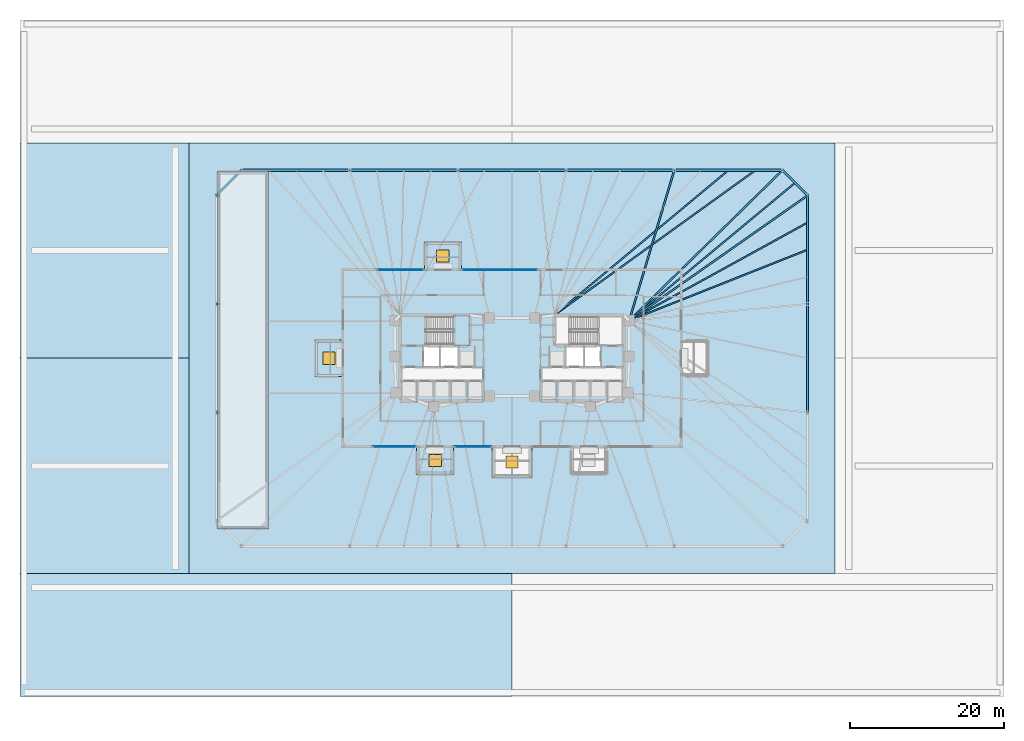
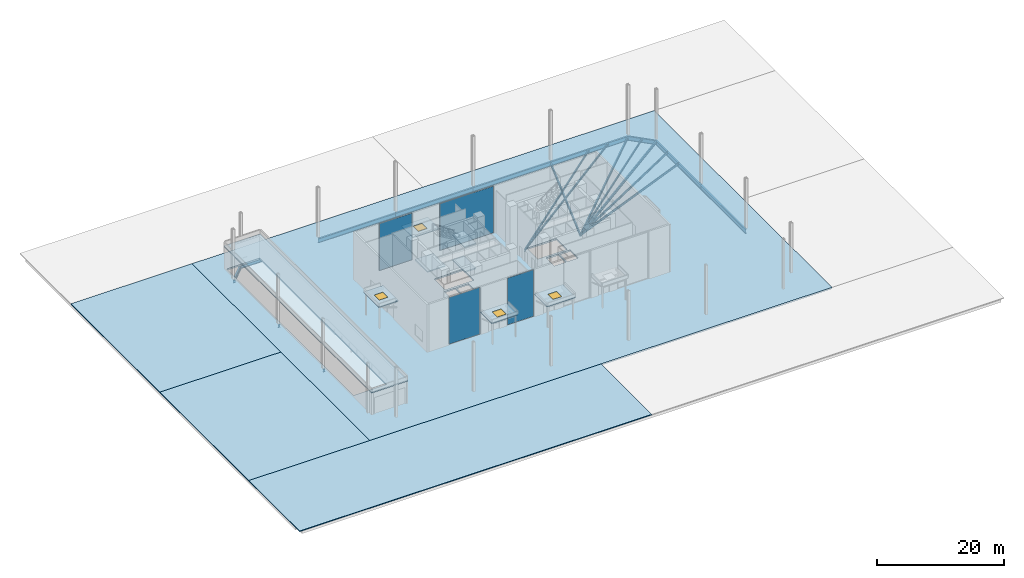
# One storey, part 11 of 24: 20 beams, 12 slabs, 4 plates, 4 windows, 4 openings, 5 elements without a shape of their own.
"""IFC4 building model written with IfcOpenShell, lengths in metres."""

from ifc_helpers import new_model, si_unit, direction, frame, origin, origin_2d, place, context, subcontext, project, spatial, polyline, rectangle, i_section, outline, extrude, material, layer, layer_set, material_profile, profile_set, type_object, element, fill, aggregate, save


model = new_model("IFC4")

# Units and contexts
model_context = context("Model", 3, precision=1e-05, world=origin(), true_north=direction((0.0, 1.0)))
body_context = subcontext(model_context, "Body", "Model", "MODEL_VIEW")
ifc_project = project(units=[si_unit("LENGTHUNIT", "METRE"), si_unit("AREAUNIT", "SQUARE_METRE"), si_unit("VOLUMEUNIT", "CUBIC_METRE"), si_unit("PLANEANGLEUNIT", "RADIAN"), si_unit("MASSUNIT", "GRAM", prefix="KILO")], contexts=[model_context])

# Site, building, storey
site_placement = place(None, origin())
site = spatial("IfcSite", under=ifc_project, at=site_placement, CompositionType="ELEMENT")
building_placement = place(site_placement, origin())
building = spatial("IfcBuilding", under=site, at=building_placement, Name="Menara Jurai Vektor", CompositionType="ELEMENT")
storey_placement = place(building_placement, origin())
storey = spatial("IfcBuildingStorey", under=building, at=storey_placement, Name="L00", CompositionType="ELEMENT", Elevation=0.0)

# Beams
ifc_material_1 = material(Name="Steel S355", Category="steel")
ifc_material_profile_1 = material_profile(ifc_material_1, i_section(OverallWidth=0.2109375, OverallDepth=0.5390625, WebThickness=0.011962890625, FlangeThickness=0.01904296875, FilletRadius=0.012939453125, at=origin_2d()), Name="UKB 533x210x109")
ifc_profile_set_1 = profile_set([ifc_material_profile_1], Name="Steel S355")
beam_type_1 = type_object("IfcBeamType", Name="STR-BM-533", PredefinedType="BEAM", material=ifc_profile_set_1)
beam_1_placement = place(storey_placement, frame((38.449951171875, 21.177734375, -0.569580078125), z_axis=(-0.818603732445, -0.574358711283, 0.0), x_axis=(0.574358711283, -0.818603732445, 0.0)))
element("IfcBeam", 1, at=beam_1_placement, inside=storey, type_object=beam_type_1, Name="Podium Radial Girder L00-RG-E4", PredefinedType="BEAM", context=body_context, shape_type="SweptSolid", body=[
    extrude(i_section(OverallWidth=0.2109375, OverallDepth=0.5390625, WebThickness=0.011962890625, FlangeThickness=0.01904296875, FilletRadius=0.012939453125, at=origin_2d()), origin(), (0.0, 0.0, 1.0), 28.3408203125),
])
beam_2_placement = place(storey_placement, frame((35.177734375, 24.449951171875, -0.569580078125), z_axis=(-0.713839032855, -0.700309813706, 0.0), x_axis=(0.700309813706, -0.713839032855, 0.0)))
element("IfcBeam", 2, at=beam_2_placement, inside=storey, type_object=beam_type_1, Name="Podium Radial Girder L00-RG-N1", PredefinedType="BEAM", context=body_context, shape_type="SweptSolid", body=[
    extrude(i_section(OverallWidth=0.2109375, OverallDepth=0.5390625, WebThickness=0.011962890625, FlangeThickness=0.01904296875, FilletRadius=0.012939453125, at=origin_2d()), origin(), (0.0, 0.0, 1.0), 27.916259765625),
])
beam_3_placement = place(storey_placement, frame((21.106689453125, 24.449951171875, -0.569580078125), z_axis=(-0.286973617166, -0.957938486047, 0.0), x_axis=(0.957938486047, -0.286973617166, 0.0)))
element("IfcBeam", 3, at=beam_3_placement, inside=storey, type_object=beam_type_1, Name="Podium Radial Girder L00-RG-N2", PredefinedType="BEAM", context=body_context, shape_type="SweptSolid", body=[
    extrude(i_section(OverallWidth=0.2109375, OverallDepth=0.5390625, WebThickness=0.011962890625, FlangeThickness=0.01904296875, FilletRadius=0.012939453125, at=origin_2d()), origin(), (0.0, 0.0, 1.0), 20.408447265625),
])
for number, where, z_axis, x_axis, name in (
    (4, (-38.449951171875, 21.177734375, -0.569580078125), (1.0, 0.0, 0.0), (0.0, 1.0, 0.0), "Podium Girder L00-W1A"),
    (5, (-38.449951171875, 7.059326171875, -0.569580078125), (1.0, 0.0, 0.0), (0.0, 1.0, 0.0), "Podium Girder L00-W2A"),
    (6, (-38.449951171875, -7.059326171875, -0.569580078125), (1.0, 0.0, 0.0), (0.0, 1.0, 0.0), "Podium Girder L00-W3A"),
):
    element("IfcBeam", number, at=place(storey_placement, frame(where, z_axis=z_axis, x_axis=x_axis)), inside=storey, type_object=beam_type_1, Name=name, PredefinedType="BEAM", context=body_context, shape_type="SweptSolid", body=[
        extrude(i_section(OverallWidth=0.2109375, OverallDepth=0.5390625, WebThickness=0.011962890625, FlangeThickness=0.01904296875, FilletRadius=0.012939453125, at=origin_2d()), origin(), (0.0, 0.0, 1.0), 0.39990234375),
    ])
ifc_material_profile_2 = material_profile(ifc_material_1, i_section(OverallWidth=0.178955078125, OverallDepth=0.408935546875, WebThickness=0.009033203125, FlangeThickness=0.013916015625, FilletRadius=0.010009765625, at=origin_2d()), Name="UKB 406x178x67")
ifc_profile_set_2 = profile_set([ifc_material_profile_2], Name="Steel S355")
beam_type_2 = type_object("IfcBeamType", Name="STR-JS-406", PredefinedType="JOIST", material=ifc_profile_set_2)
beam_4_placement = place(storey_placement, frame((38.449951171875, 14.118408203125, -0.50439453125), z_axis=(-0.929323400723, -0.369266864027, 0.0), x_axis=(0.369266864027, -0.929323400723, 0.0)))
element("IfcBeam", 7, at=beam_4_placement, inside=storey, type_object=beam_type_2, Name="Radial Secondary Floor Joist L00-JS13", PredefinedType="JOIST", context=body_context, shape_type="SweptSolid", body=[
    extrude(i_section(OverallWidth=0.178955078125, OverallDepth=0.408935546875, WebThickness=0.009033203125, FlangeThickness=0.013916015625, FilletRadius=0.010009765625, at=origin_2d()), origin(), (0.0, 0.0, 1.0), 24.96435546875),
])
beam_5_placement = place(storey_placement, frame((38.449951171875, 17.648193359375, -0.50439453125), z_axis=(-0.87640219057, -0.481579900291, 0.0), x_axis=(0.481579900291, -0.87640219057, 0.0)))
element("IfcBeam", 8, at=beam_5_placement, inside=storey, type_object=beam_type_2, Name="Radial Secondary Floor Joist L00-JS14", PredefinedType="JOIST", context=body_context, shape_type="SweptSolid", body=[
    extrude(i_section(OverallWidth=0.178955078125, OverallDepth=0.408935546875, WebThickness=0.009033203125, FlangeThickness=0.013916015625, FilletRadius=0.010009765625, at=origin_2d()), origin(), (0.0, 0.0, 1.0), 26.471923828125),
])
beam_6_placement = place(storey_placement, frame((36.81396484375, 22.81396484375, -0.50439453125), z_axis=(-0.769201173096, -0.639006694259, 0.0), x_axis=(0.639006694259, -0.769201173096, 0.0)))
element("IfcBeam", 9, at=beam_6_placement, inside=storey, type_object=beam_type_2, Name="Radial Secondary Floor Joist L00-JS15", PredefinedType="JOIST", context=body_context, shape_type="SweptSolid", body=[
    extrude(i_section(OverallWidth=0.178955078125, OverallDepth=0.408935546875, WebThickness=0.009033203125, FlangeThickness=0.013916015625, FilletRadius=0.010009765625, at=origin_2d()), origin(), (0.0, 0.0, 1.0), 28.0341796875),
])
beam_7_placement = place(storey_placement, frame((31.659912109375, 24.449951171875, -0.50439453125), z_axis=(-0.81131785733, -0.584605280833, 0.0), x_axis=(0.584605280833, -0.81131785733, 0.0)))
element("IfcBeam", 10, at=beam_7_placement, inside=storey, type_object=beam_type_2, Name="Radial Secondary Floor Joist L00-JS16", PredefinedType="JOIST", context=body_context, shape_type="SweptSolid", body=[
    extrude(i_section(OverallWidth=0.178955078125, OverallDepth=0.408935546875, WebThickness=0.009033203125, FlangeThickness=0.013916015625, FilletRadius=0.010009765625, at=origin_2d()), origin(), (0.0, 0.0, 1.0), 32.24365234375),
])
beam_8_placement = place(storey_placement, frame((28.142333984375, 24.449951171875, -0.50439453125), z_axis=(-0.76853431665, -0.639808568347, 0.0), x_axis=(0.639808568347, -0.76853431665, 0.0)))
element("IfcBeam", 11, at=beam_8_placement, inside=storey, type_object=beam_type_2, Name="Radial Secondary Floor Joist L00-JS17", PredefinedType="JOIST", context=body_context, shape_type="SweptSolid", body=[
    extrude(i_section(OverallWidth=0.178955078125, OverallDepth=0.408935546875, WebThickness=0.009033203125, FlangeThickness=0.013916015625, FilletRadius=0.010009765625, at=origin_2d()), origin(), (0.0, 0.0, 1.0), 29.461669921875),
])
ifc_material_2 = material(Name="Steel S460", Category="steel")
ifc_material_profile_3 = material_profile(ifc_material_2, i_section(OverallWidth=0.2939453125, OverallDepth=0.85107421875, WebThickness=0.01611328125, FlangeThickness=0.027099609375, FilletRadius=0.01806640625, at=origin_2d()), Name="UKB 838x292x226")
ifc_profile_set_3 = profile_set([ifc_material_profile_3], Name="Steel S460")
beam_type_3 = type_object("IfcBeamType", Name="STR-SP-838", PredefinedType="SPANDREL", material=ifc_profile_set_3)
beam_9_placement = place(storey_placement, frame((38.449951171875, -7.059326171875, -0.7255859375), z_axis=(0.0, 1.0, 0.0), x_axis=(-1.0, 0.0, 0.0)))
element("IfcBeam", 12, at=beam_9_placement, inside=storey, type_object=beam_type_3, Name="Podium Perimeter Girder L00-SP08", PredefinedType="SPANDREL", context=body_context, shape_type="SweptSolid", body=[
    extrude(i_section(OverallWidth=0.2939453125, OverallDepth=0.85107421875, WebThickness=0.01611328125, FlangeThickness=0.027099609375, FilletRadius=0.01806640625, at=origin_2d()), origin(), (0.0, 0.0, 1.0), 14.11865234375),
])
beam_10_placement = place(storey_placement, frame((38.449951171875, 7.059326171875, -0.7255859375), z_axis=(0.0, 1.0, 0.0), x_axis=(-1.0, 0.0, 0.0)))
element("IfcBeam", 13, at=beam_10_placement, inside=storey, type_object=beam_type_3, Name="Podium Perimeter Girder L00-SP09", PredefinedType="SPANDREL", context=body_context, shape_type="SweptSolid", body=[
    extrude(i_section(OverallWidth=0.2939453125, OverallDepth=0.85107421875, WebThickness=0.01611328125, FlangeThickness=0.027099609375, FilletRadius=0.01806640625, at=origin_2d()), origin(), (0.0, 0.0, 1.0), 14.118408203125),
])
beam_11_placement = place(storey_placement, frame((38.449951171875, 21.177734375, -0.7255859375), z_axis=(-0.707106781187, 0.707106781187, 0.0), x_axis=(-0.707106781187, -0.707106781187, 0.0)))
element("IfcBeam", 14, at=beam_11_placement, inside=storey, type_object=beam_type_3, Name="Podium Perimeter Girder L00-SP10", PredefinedType="SPANDREL", context=body_context, shape_type="SweptSolid", body=[
    extrude(i_section(OverallWidth=0.2939453125, OverallDepth=0.85107421875, WebThickness=0.01611328125, FlangeThickness=0.027099609375, FilletRadius=0.01806640625, at=origin_2d()), origin(), (0.0, 0.0, 1.0), 4.627685546875),
])
for number, where, z_axis, x_axis, name in (
    (15, (35.177734375, 24.449951171875, -0.7255859375), (-1.0, 0.0, 0.0), (0.0, -1.0, 0.0), "Podium Perimeter Girder L00-SP11"),
    (16, (21.106689453125, 24.449951171875, -0.7255859375), (-1.0, 0.0, 0.0), (0.0, -1.0, 0.0), "Podium Perimeter Girder L00-SP12"),
):
    element("IfcBeam", number, at=place(storey_placement, frame(where, z_axis=z_axis, x_axis=x_axis)), inside=storey, type_object=beam_type_3, Name=name, PredefinedType="SPANDREL", context=body_context, shape_type="SweptSolid", body=[
        extrude(i_section(OverallWidth=0.2939453125, OverallDepth=0.85107421875, WebThickness=0.01611328125, FlangeThickness=0.027099609375, FilletRadius=0.01806640625, at=origin_2d()), origin(), (0.0, 0.0, 1.0), 14.071044921875),
    ])
beam_12_placement = place(storey_placement, frame((7.03564453125, 24.449951171875, -0.7255859375), z_axis=(-1.0, 0.0, 0.0), x_axis=(0.0, -1.0, 0.0)))
element("IfcBeam", 17, at=beam_12_placement, inside=storey, type_object=beam_type_3, Name="Podium Perimeter Girder L00-SP13", PredefinedType="SPANDREL", context=body_context, shape_type="SweptSolid", body=[
    extrude(i_section(OverallWidth=0.2939453125, OverallDepth=0.85107421875, WebThickness=0.01611328125, FlangeThickness=0.027099609375, FilletRadius=0.01806640625, at=origin_2d()), origin(), (0.0, 0.0, 1.0), 14.0712890625),
])
for number, where, z_axis, x_axis, name in (
    (18, (-7.03564453125, 24.449951171875, -0.7255859375), (-1.0, 0.0, 0.0), (0.0, -1.0, 0.0), "Podium Perimeter Girder L00-SP14"),
    (19, (-21.106689453125, 24.449951171875, -0.7255859375), (-1.0, 0.0, 0.0), (0.0, -1.0, 0.0), "Podium Perimeter Girder L00-SP15"),
):
    element("IfcBeam", number, at=place(storey_placement, frame(where, z_axis=z_axis, x_axis=x_axis)), inside=storey, type_object=beam_type_3, Name=name, PredefinedType="SPANDREL", context=body_context, shape_type="SweptSolid", body=[
        extrude(i_section(OverallWidth=0.2939453125, OverallDepth=0.85107421875, WebThickness=0.01611328125, FlangeThickness=0.027099609375, FilletRadius=0.01806640625, at=origin_2d()), origin(), (0.0, 0.0, 1.0), 14.071044921875),
    ])
beam_13_placement = place(storey_placement, frame((-35.177734375, 24.449951171875, -0.7255859375), z_axis=(-0.707106781187, -0.707106781187, 0.0), x_axis=(0.707106781187, -0.707106781187, 0.0)))
element("IfcBeam", 20, at=beam_13_placement, inside=storey, type_object=beam_type_3, Name="Podium Perimeter Girder L00-SP16", PredefinedType="SPANDREL", context=body_context, shape_type="SweptSolid", body=[
    extrude(i_section(OverallWidth=0.2939453125, OverallDepth=0.85107421875, WebThickness=0.01611328125, FlangeThickness=0.027099609375, FilletRadius=0.01806640625, at=origin_2d()), origin(), (0.0, 0.0, 1.0), 4.627685546875),
])

# Slabs
ifc_material_3 = material(Name="Granite Plaza Paving", Category="masonry")
ifc_layer_1 = layer(ifc_material_3, 0.14990234375)
ifc_layer_set_1 = layer_set([ifc_layer_1], Name="Granite Plaza Paving")
slab_type_1 = type_object("IfcSlabType", Name="ARCH-SLAB-PAV150", PredefinedType="USERDEFINED", material=ifc_layer_set_1)
slab_1_placement = place(storey_placement, frame((0.0, 0.0, -0.14990234375)))
element("IfcSlab", 21, at=slab_1_placement, inside=storey, type_object=slab_type_1, Name="Public Plaza Granite Paving PV-S1", ObjectType="PAVING", PredefinedType="USERDEFINED", context=body_context, shape_type="SweptSolid", body=[
    extrude(outline(polyline([(0.0, -44.0), (0.0, -28.0), (-64.0, -28.0), (-64.0, -44.0), (0.0, -44.0)])), origin(), (0.0, 0.0, 1.0), 0.14990234375),
])
slab_2_placement = place(storey_placement, frame((0.0, 0.0, -0.14990234375)))
element("IfcSlab", 22, at=slab_2_placement, inside=storey, type_object=slab_type_1, Name="Public Plaza Granite Paving PV-W1", ObjectType="PAVING", PredefinedType="USERDEFINED", context=body_context, shape_type="SweptSolid", body=[
    extrude(outline(polyline([(-42.0, -28.0), (-42.0, 0.0), (-64.0, 0.0), (-64.0, -28.0), (-42.0, -28.0)])), origin(), (0.0, 0.0, 1.0), 0.14990234375),
])
slab_3_placement = place(storey_placement, frame((0.0, 0.0, -0.14990234375)))
element("IfcSlab", 23, at=slab_3_placement, inside=storey, type_object=slab_type_1, Name="Public Plaza Granite Paving PV-W2", ObjectType="PAVING", PredefinedType="USERDEFINED", context=body_context, shape_type="SweptSolid", body=[
    extrude(outline(polyline([(-42.0, 0.0), (-42.0, 28.0), (-64.0, 28.0), (-64.0, 0.0), (-42.0, 0.0)])), origin(), (0.0, 0.0, 1.0), 0.14990234375),
])

# Curtain wall, plate
ifc_material_4 = material(Name="Anodised Pale Aluminium & Low-E Double Glazing", Category="aluminium")
curtain_wall_type = type_object("IfcCurtainWallType", Name="CW-SKY", PredefinedType="NOTDEFINED", material=ifc_material_4)
curtain_wall_1_placement = place(storey_placement, origin())
curtain_wall_1 = element("IfcCurtainWall", 24, at=curtain_wall_1_placement, inside=storey, type_object=curtain_wall_type, Name="Unitised Curtain Wall L00 S1", PredefinedType="NOTDEFINED")
ifc_material_5 = material(Name="Low-E Solar-Control Double Glazed Unit", Category="glass")
ifc_layer_2 = layer(ifc_material_5, 0.0419921875)
ifc_layer_set_2 = layer_set([ifc_layer_2], Name="Low-E Solar-Control Double Glazed Unit")
plate_type = type_object("IfcPlateType", Name="CW-SKY-PNL", PredefinedType="CURTAIN_PANEL", material=ifc_layer_set_2)
plate_1_placement = place(storey_placement, frame((-15.300048828125, -11.5, 0.10986328125), z_axis=(0.0, 0.0, 1.0), x_axis=(1.0, 0.0, 0.0)))
plate_1 = element("IfcPlate", 25, at=plate_1_placement, type_object=plate_type, Name="CW-06 panel 1.1", PredefinedType="CURTAIN_PANEL", context=body_context, shape_type="SweptSolid", body=[
    extrude(rectangle(XDim=5.580078125, YDim=0.0419921875, at=origin_2d()), origin(), (0.0, 0.0, 1.0), 8.97509765625),
])
aggregate(curtain_wall_1, [plate_1])

curtain_wall_2_placement = place(storey_placement, origin())
curtain_wall_2 = element("IfcCurtainWall", 26, at=curtain_wall_2_placement, inside=storey, type_object=curtain_wall_type, Name="Unitised Curtain Wall L00 S2", PredefinedType="NOTDEFINED")
plate_2_placement = place(storey_placement, frame((-5.10009765625, -11.5, 0.10986328125), z_axis=(0.0, 0.0, 1.0), x_axis=(1.0, 0.0, 0.0)))
plate_2 = element("IfcPlate", 27, at=plate_2_placement, type_object=plate_type, Name="CW-06 panel 1.1", PredefinedType="CURTAIN_PANEL", context=body_context, shape_type="SweptSolid", body=[
    extrude(rectangle(XDim=4.780029296875, YDim=0.0419921875, at=origin_2d()), origin(), (0.0, 0.0, 1.0), 8.97509765625),
])
aggregate(curtain_wall_2, [plate_2])

curtain_wall_3_placement = place(storey_placement, origin())
curtain_wall_3 = element("IfcCurtainWall", 28, at=curtain_wall_3_placement, inside=storey, type_object=curtain_wall_type, Name="Unitised Curtain Wall L00 N1", PredefinedType="NOTDEFINED")
plate_3_placement = place(storey_placement, frame((-14.5, 11.5, 0.10986328125), z_axis=(0.0, 0.0, 1.0), x_axis=(1.0, 0.0, 0.0)))
plate_3 = element("IfcPlate", 29, at=plate_3_placement, type_object=plate_type, Name="CW-06 panel 1.1", PredefinedType="CURTAIN_PANEL", context=body_context, shape_type="SweptSolid", body=[
    extrude(rectangle(XDim=5.97998046875, YDim=0.0419921875, at=origin_2d()), origin(), (0.0, 0.0, 1.0), 8.97509765625),
])
aggregate(curtain_wall_3, [plate_3])

curtain_wall_4_placement = place(storey_placement, origin())
curtain_wall_4 = element("IfcCurtainWall", 30, at=curtain_wall_4_placement, inside=storey, type_object=curtain_wall_type, Name="Unitised Curtain Wall L00 N2", PredefinedType="NOTDEFINED")
plate_4_placement = place(storey_placement, frame((-1.60009765625, 11.5, 0.10986328125), z_axis=(0.0, 0.0, 1.0), x_axis=(1.0, 0.0, 0.0)))
plate_4 = element("IfcPlate", 31, at=plate_4_placement, type_object=plate_type, Name="CW-06 panel 1.1", PredefinedType="CURTAIN_PANEL", context=body_context, shape_type="SweptSolid", body=[
    extrude(rectangle(XDim=9.780029296875, YDim=0.0419921875, at=origin_2d()), origin(), (0.0, 0.0, 1.0), 8.97509765625),
])
aggregate(curtain_wall_4, [plate_4])

# Stair, slabs
ifc_material_6 = material(Name="Concrete C40/50", Category="concrete")
stair_type = type_object("IfcStairType", Name="STAIR-DOGLEG-1500", PredefinedType="HALF_TURN_STAIR", material=ifc_material_6)
stair_placement = place(storey_placement, origin())
stair = element("IfcStair", 32, at=stair_placement, inside=storey, type_object=stair_type, Name="Protected Exit Stair ST1 L00", PredefinedType="HALF_TURN_STAIR")
ifc_layer_3 = layer(ifc_material_6, 0.199951171875)
ifc_layer_set_3 = layer_set([ifc_layer_3], Name="Concrete C40/50")
slab_type_2 = type_object("IfcSlabType", Name="STAIR-LANDING-200", PredefinedType="LANDING", material=ifc_layer_set_3)
slab_4_placement = place(storey_placement, frame((0.0, 0.0, 2.199951171875)))
slab_4 = element("IfcSlab", 33, at=slab_4_placement, type_object=slab_type_2, Name="ST1 landing 1", PredefinedType="LANDING", context=body_context, shape_type="SweptSolid", body=[
    extrude(outline(polyline([(-7.679931640625, 1.64990234375), (-5.550048828125, 1.64990234375), (-5.550048828125, 5.550048828125), (-7.679931640625, 5.550048828125), (-7.679931640625, 1.64990234375)])), origin(), (0.0, 0.0, 1.0), 0.199951171875),
])
slab_5_placement = place(storey_placement, frame((0.0, 0.0, 4.60009765625)))
slab_5 = element("IfcSlab", 34, at=slab_5_placement, type_object=slab_type_2, Name="ST1 landing 2", PredefinedType="LANDING", context=body_context, shape_type="SweptSolid", body=[
    extrude(outline(polyline([(-14.449951171875, 1.64990234375), (-11.10009765625, 1.64990234375), (-11.10009765625, 5.550048828125), (-14.449951171875, 5.550048828125), (-14.449951171875, 1.64990234375)])), origin(), (0.0, 0.0, 1.0), 0.199951171875),
])
slab_6_placement = place(storey_placement, frame((0.0, 0.0, 7.0)))
slab_6 = element("IfcSlab", 35, at=slab_6_placement, type_object=slab_type_2, Name="ST1 landing 3", PredefinedType="LANDING", context=body_context, shape_type="SweptSolid", body=[
    extrude(outline(polyline([(-7.679931640625, 1.64990234375), (-5.550048828125, 1.64990234375), (-5.550048828125, 5.550048828125), (-7.679931640625, 5.550048828125), (-7.679931640625, 1.64990234375)])), origin(), (0.0, 0.0, 1.0), 0.199951171875),
])
aggregate(stair, [slab_4, slab_5, slab_6])

# Slab, opening, window
ifc_layer_4 = layer(ifc_material_6, 0.179931640625)
ifc_layer_set_4 = layer_set([ifc_layer_4], Name="Concrete C40/50")
slab_type_3 = type_object("IfcSlabType", Name="STR-ROOF-CAN180", PredefinedType="ROOF", material=ifc_layer_set_4)
slab_7_placement = place(storey_placement, frame((0.0, 0.0, 4.199951171875)))
slab_7 = element("IfcSlab", 36, at=slab_7_placement, inside=storey, type_object=slab_type_3, Name="Entrance Canopy Roof Slab E1", PredefinedType="ROOF", context=body_context, shape_type="SweptSolid", body=[
    extrude(outline(polyline([(-7.60009765625, -15.10009765625), (-7.60009765625, -11.5), (-12.39990234375, -11.5), (-12.39990234375, -15.10009765625), (-7.60009765625, -15.10009765625)])), origin(), (0.0, 0.0, 1.0), 0.179931640625),
])
opening_1_placement = place(slab_7_placement, frame((-10.0, -13.300048828125, 0.0)))
opening_1 = element("IfcOpeningElement", 37, at=opening_1_placement, cuts=slab_7, Name="Opening SK-16", PredefinedType="OPENING", context=body_context, shape_type="SweptSolid", body=[
    extrude(rectangle(XDim=1.60009765625, YDim=1.60009765625, at=origin_2d()), frame((0.0, 0.0, -0.010009765625)), (0.0, 0.0, 1.0), 0.199951171875),
])
ifc_material_7 = material(Name="Laminated Insulated Daylight Rooflight", Category="glass")
window_type = type_object("IfcWindowType", Name="ENV-WIN-SKY160", PartitioningType="SINGLE_PANEL", PredefinedType="SKYLIGHT", material=ifc_material_7)
window_1_placement = place(opening_1_placement, frame((0.0, 0.0, 0.1298828125)))
window_1 = element("IfcWindow", 38, at=window_1_placement, inside=storey, type_object=window_type, Name="Entrance Canopy Daylight Rooflight E1", OverallHeight=1.60009765625, OverallWidth=1.60009765625, PartitioningType="SINGLE_PANEL", PredefinedType="SKYLIGHT", context=body_context, shape_type="SweptSolid", body=[
    extrude(rectangle(XDim=1.60009765625, YDim=1.60009765625, at=origin_2d()), origin(), (0.0, 0.0, 1.0), 0.050048828125),
])
fill(opening_1, window_1)

slab_8_placement = place(storey_placement, frame((0.0, 0.0, 4.199951171875)))
slab_8 = element("IfcSlab", 39, at=slab_8_placement, inside=storey, type_object=slab_type_3, Name="Entrance Canopy Roof Slab E2", PredefinedType="ROOF", context=body_context, shape_type="SweptSolid", body=[
    extrude(outline(polyline([(2.60009765625, -15.5), (2.60009765625, -11.5), (-2.60009765625, -11.5), (-2.60009765625, -15.5), (2.60009765625, -15.5)])), origin(), (0.0, 0.0, 1.0), 0.179931640625),
])
opening_2_placement = place(slab_8_placement, frame((0.0, -13.5, 0.0)))
opening_2 = element("IfcOpeningElement", 40, at=opening_2_placement, cuts=slab_8, Name="Opening SK-16", PredefinedType="OPENING", context=body_context, shape_type="SweptSolid", body=[
    extrude(rectangle(XDim=1.60009765625, YDim=1.60009765625, at=origin_2d()), frame((0.0, 0.0, -0.010009765625)), (0.0, 0.0, 1.0), 0.199951171875),
])
window_2_placement = place(opening_2_placement, frame((0.0, 0.0, 0.1298828125)))
window_2 = element("IfcWindow", 41, at=window_2_placement, inside=storey, type_object=window_type, Name="Entrance Canopy Daylight Rooflight E2", OverallHeight=1.60009765625, OverallWidth=1.60009765625, PartitioningType="SINGLE_PANEL", PredefinedType="SKYLIGHT", context=body_context, shape_type="SweptSolid", body=[
    extrude(rectangle(XDim=1.60009765625, YDim=1.60009765625, at=origin_2d()), origin(), (0.0, 0.0, 1.0), 0.050048828125),
])
fill(opening_2, window_2)

slab_9_placement = place(storey_placement, frame((0.0, 0.0, 4.199951171875)))
slab_9 = element("IfcSlab", 42, at=slab_9_placement, inside=storey, type_object=slab_type_3, Name="Entrance Canopy Roof Slab E4", PredefinedType="ROOF", context=body_context, shape_type="SweptSolid", body=[
    extrude(outline(polyline([(-6.60009765625, 11.5), (-6.60009765625, 15.10009765625), (-11.39990234375, 15.10009765625), (-11.39990234375, 11.5), (-6.60009765625, 11.5)])), origin(), (0.0, 0.0, 1.0), 0.179931640625),
])
opening_3_placement = place(slab_9_placement, frame((-9.0, 13.300048828125, 0.0)))
opening_3 = element("IfcOpeningElement", 43, at=opening_3_placement, cuts=slab_9, Name="Opening SK-16", PredefinedType="OPENING", context=body_context, shape_type="SweptSolid", body=[
    extrude(rectangle(XDim=1.60009765625, YDim=1.60009765625, at=origin_2d()), frame((0.0, 0.0, -0.010009765625)), (0.0, 0.0, 1.0), 0.199951171875),
])
window_3_placement = place(opening_3_placement, frame((0.0, 0.0, 0.1298828125)))
window_3 = element("IfcWindow", 44, at=window_3_placement, inside=storey, type_object=window_type, Name="Entrance Canopy Daylight Rooflight E4", OverallHeight=1.60009765625, OverallWidth=1.60009765625, PartitioningType="SINGLE_PANEL", PredefinedType="SKYLIGHT", context=body_context, shape_type="SweptSolid", body=[
    extrude(rectangle(XDim=1.60009765625, YDim=1.60009765625, at=origin_2d()), origin(), (0.0, 0.0, 1.0), 0.050048828125),
])
fill(opening_3, window_3)

slab_10_placement = place(storey_placement, frame((0.0, 0.0, 4.199951171875)))
slab_10 = element("IfcSlab", 45, at=slab_10_placement, inside=storey, type_object=slab_type_3, Name="Entrance Canopy Roof Slab E5", PredefinedType="ROOF", context=body_context, shape_type="SweptSolid", body=[
    extrude(outline(polyline([(-22.0, -2.39990234375), (-22.0, 2.39990234375), (-25.60009765625, 2.39990234375), (-25.60009765625, -2.39990234375), (-22.0, -2.39990234375)])), origin(), (0.0, 0.0, 1.0), 0.179931640625),
])
opening_4_placement = place(slab_10_placement, frame((-23.800048828125, 0.0, 0.0)))
opening_4 = element("IfcOpeningElement", 46, at=opening_4_placement, cuts=slab_10, Name="Opening SK-16", PredefinedType="OPENING", context=body_context, shape_type="SweptSolid", body=[
    extrude(rectangle(XDim=1.60009765625, YDim=1.60009765625, at=origin_2d()), frame((0.0, 0.0, -0.010009765625)), (0.0, 0.0, 1.0), 0.199951171875),
])
window_4_placement = place(opening_4_placement, frame((0.0, 0.0, 0.1298828125)))
window_4 = element("IfcWindow", 47, at=window_4_placement, inside=storey, type_object=window_type, Name="Entrance Canopy Daylight Rooflight E5", OverallHeight=1.60009765625, OverallWidth=1.60009765625, PartitioningType="SINGLE_PANEL", PredefinedType="SKYLIGHT", context=body_context, shape_type="SweptSolid", body=[
    extrude(rectangle(XDim=1.60009765625, YDim=1.60009765625, at=origin_2d()), origin(), (0.0, 0.0, 1.0), 0.050048828125),
])
fill(opening_4, window_4)

# Slabs
ifc_layer_5 = layer(ifc_material_6, 0.219970703125)
ifc_layer_set_5 = layer_set([ifc_layer_5], Name="Concrete C40/50")
slab_type_4 = type_object("IfcSlabType", Name="STR-ROOF-RAMP220", PredefinedType="ROOF", material=ifc_layer_set_5)
slab_11_placement = place(storey_placement, frame((0.0, 0.0, 4.199951171875)))
element("IfcSlab", 48, at=slab_11_placement, inside=storey, type_object=slab_type_4, Name="Basement Driveway Headhouse Roof Slab", PredefinedType="ROOF", context=body_context, shape_type="SweptSolid", body=[
    extrude(outline(polyline([(-31.699951171875, -22.14990234375), (-31.699951171875, 24.300048828125), (-38.300048828125, 24.300048828125), (-38.300048828125, -22.14990234375), (-31.699951171875, -22.14990234375)])), origin(), (0.0, 0.0, 1.0), 0.219970703125),
])
ifc_layer_6 = layer(ifc_material_6, 0.300048828125)
ifc_layer_set_6 = layer_set([ifc_layer_6], Name="Concrete C40/50")
slab_type_5 = type_object("IfcSlabType", Name="STR-SLAB-POD300", PredefinedType="FLOOR", material=ifc_layer_set_6)
slab_12_placement = place(storey_placement, frame((0.0, 0.0, -0.300048828125)))
element("IfcSlab", 49, at=slab_12_placement, inside=storey, type_object=slab_type_5, Name="Ground Level L00 Podium Floor Slab", PredefinedType="FLOOR", context=body_context, shape_type="SweptSolid", body=[
    extrude(outline(polyline([(42.0, -28.0), (42.0, 28.0), (-42.0, 28.0), (-42.0, -28.0), (42.0, -28.0)]), holes=[polyline([(-11.10009765625, 1.89990234375), (-11.10009765625, 5.300048828125), (-5.800048828125, 5.300048828125), (-5.800048828125, 1.89990234375), (-11.10009765625, 1.89990234375)]), polyline([(5.800048828125, 1.89990234375), (5.800048828125, 5.300048828125), (11.10009765625, 5.300048828125), (11.10009765625, 1.89990234375), (5.800048828125, 1.89990234375)]), polyline([(-38.0, -16.0), (-38.0, 24.0), (-32.0, 24.0), (-32.0, -16.0), (-38.0, -16.0)]), polyline([(-11.449951171875, -1.050048828125), (-11.449951171875, 1.5), (-9.449951171875, 1.5), (-9.449951171875, -1.050048828125), (-11.449951171875, -1.050048828125)]), polyline([(9.449951171875, -1.050048828125), (9.449951171875, 1.5), (11.449951171875, 1.5), (11.449951171875, -1.050048828125), (9.449951171875, -1.050048828125)]), polyline([(-9.25, -1.050048828125), (-9.25, 1.5), (-7.050048828125, 1.5), (-7.050048828125, -1.050048828125), (-9.25, -1.050048828125)]), polyline([(7.050048828125, -1.050048828125), (7.050048828125, 1.5), (9.25, 1.5), (9.25, -1.050048828125), (7.050048828125, -1.050048828125)])]), origin(), (0.0, 0.0, 1.0), 0.300048828125),
])

save(model, "model.ifc")
